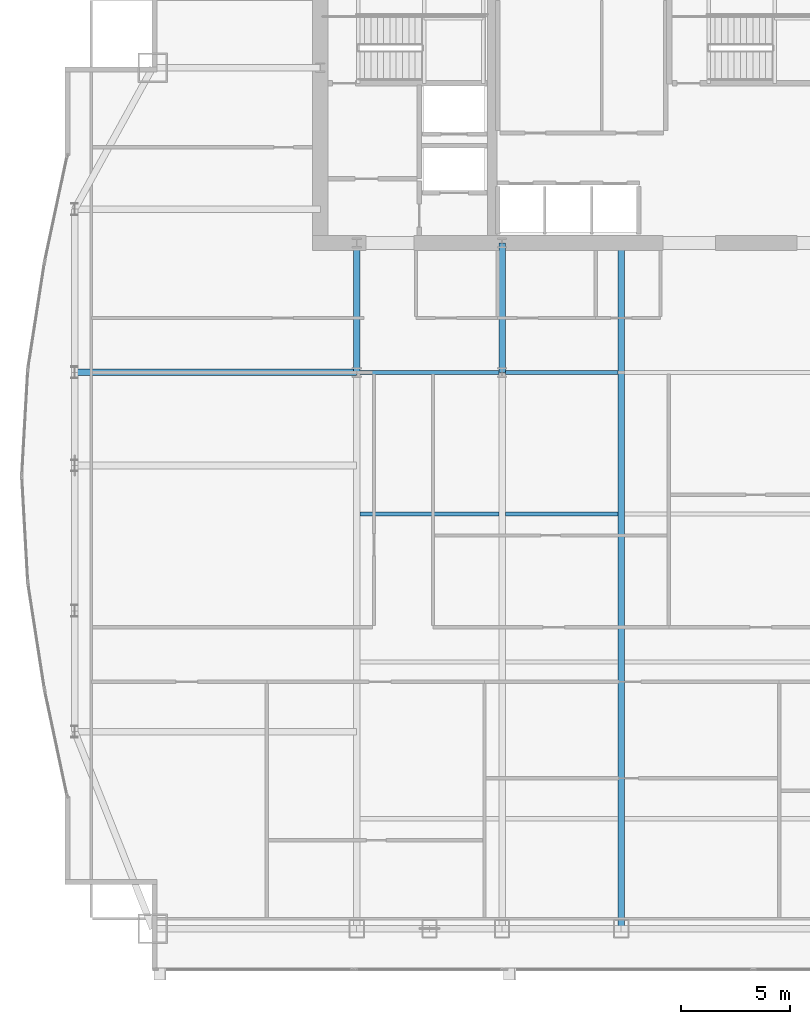
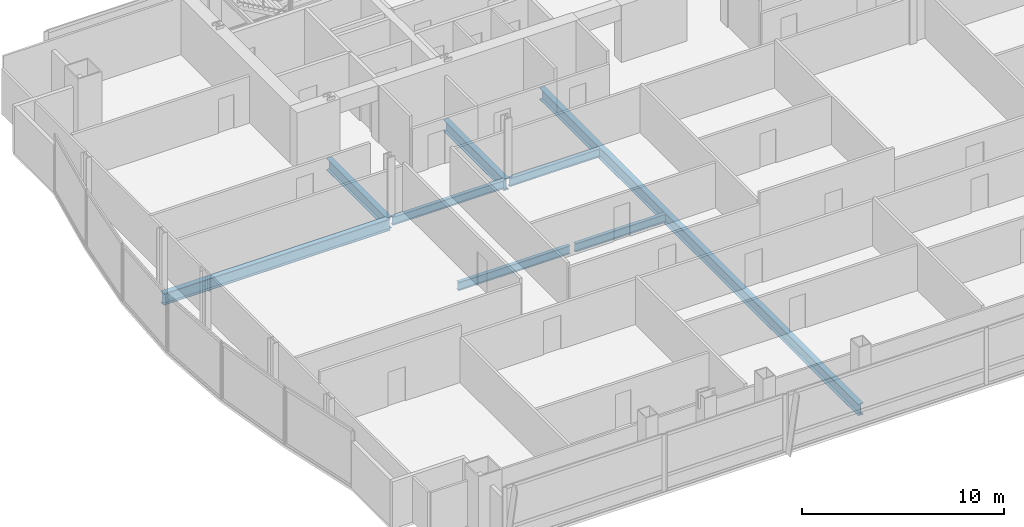
# One storey, part 12 of 29: 8 beams.
"""IFC4 building model written with IfcOpenShell, lengths in metres."""

import ifcopenshell
import ifcopenshell.guid

model = None  # the IFC model being written
_history = None  # IfcOwnerHistory: only IFC2X3 demands one
_inside = {}  # id of a spatial element -> (the spatial element, [elements in it])
_under = {}  # id of a project, library or spatial element -> (it, [spatial elements below it])
_declared = {}  # id of a project -> (the project, [libraries it declares])
_typed = {}  # id of a type object -> (the type object, [elements of that type])
_made_of = {}  # id of a material, layer set ... -> (it, [elements and type objects made of it])


def new_model(schema):
    """Start an empty IFC model of exactly this schema.

    Asked for "IFC4X3", IfcOpenShell would pick the latest addendum, in which some entities
    have other attributes; the version numbers below select the first issue.
    IFC2X3 requires an IfcOwnerHistory on every rooted entity: one is made here for all.
    """
    global model, _history
    if schema == "IFC4X3":
        model = ifcopenshell.file(schema_version=(4, 3, 0, 0))
    else:
        model = ifcopenshell.file(schema=schema)
    _inside.clear()
    _under.clear()
    _declared.clear()
    _typed.clear()
    _made_of.clear()
    _history = None
    if model.schema == "IFC2X3":
        org = make("IfcOrganization", Name="unknown")
        user = make(
            "IfcPersonAndOrganization",
            ThePerson=make("IfcPerson", FamilyName="unknown"),
            TheOrganization=org,
        )
        app = make(
            "IfcApplication",
            ApplicationDeveloper=org,
            Version="unknown",
            ApplicationFullName="unknown",
            ApplicationIdentifier="unknown",
        )
        _history = make(
            "IfcOwnerHistory",
            OwningUser=user,
            OwningApplication=app,
            ChangeAction="ADDED",
            CreationDate=0,
        )
    return model


def make(cls, **values):
    """One entity of the class cls with the attributes given. An attribute that is None is left unset."""
    return model.create_entity(
        cls, **{name: value for name, value in values.items() if value is not None}
    )


def rooted(cls, **values):
    """An entity with a GlobalId (a new one), such as an element, a storey or a relation."""
    return make(cls, GlobalId=ifcopenshell.guid.new(), OwnerHistory=_history, **values)


def si_unit(unit_type, name, prefix=None):
    """IfcSIUnit, for example si_unit("LENGTHUNIT", "METRE", prefix="MILLI")."""
    return make("IfcSIUnit", UnitType=unit_type, Prefix=prefix, Name=name)


def assignment(units):
    """IfcUnitAssignment: the units of a project."""
    return None if units is None else make("IfcUnitAssignment", Units=units)


def point(xyz):
    """IfcCartesianPoint."""
    return None if xyz is None else make("IfcCartesianPoint", Coordinates=xyz)


def direction(xyz):
    """IfcDirection."""
    return None if xyz is None else make("IfcDirection", DirectionRatios=xyz)


def frame(location, z_axis=None, x_axis=None):
    """IfcAxis2Placement3D, a coordinate frame: its origin and axes. An axis left out is left unset."""
    return make(
        "IfcAxis2Placement3D",
        Location=point(location),
        Axis=direction(z_axis),
        RefDirection=direction(x_axis),
    )


def frame_2d(location, x_axis=None):
    """IfcAxis2Placement2D, a coordinate frame in the plane: its origin and x axis."""
    return make(
        "IfcAxis2Placement2D", Location=point(location), RefDirection=direction(x_axis)
    )


def origin():
    """The frame at (0, 0, 0) with its axes left unset."""
    return frame((0.0, 0.0, 0.0))


def origin_2d():
    """The frame at (0, 0) in the plane with its x axis left unset."""
    return frame_2d((0.0, 0.0))


def place(relative_to, where):
    """IfcLocalPlacement: puts the frame where relative to a parent placement (None: the world)."""
    return make(
        "IfcLocalPlacement", PlacementRelTo=relative_to, RelativePlacement=where
    )


def context(
    kind, dimensions, precision=None, world=None, true_north=None, identifier=None
):
    """IfcGeometricRepresentationContext, for example the 3D "Model" context."""
    return make(
        "IfcGeometricRepresentationContext",
        ContextIdentifier=identifier,
        ContextType=kind,
        CoordinateSpaceDimension=dimensions,
        Precision=precision,
        WorldCoordinateSystem=world,
        TrueNorth=true_north,
    )


def subcontext(parent, identifier, kind, view, scale=None):
    """IfcGeometricRepresentationSubContext, for example "Body" below "Model"."""
    return make(
        "IfcGeometricRepresentationSubContext",
        ContextIdentifier=identifier,
        ContextType=kind,
        ParentContext=parent,
        TargetScale=scale,
        TargetView=view,
    )


def project(units=None, contexts=None):
    """IfcProject with its units and contexts."""
    return rooted(
        "IfcProject",
        Name="project",
        RepresentationContexts=contexts,
        UnitsInContext=assignment(units),
    )


def spatial(cls, under=None, at=None, **own):
    """A site, building, storey or space (cls), placed at a placement, below another one or the project."""
    s = rooted(cls, ObjectPlacement=at, **own)
    if under is not None:
        _under.setdefault(under.id(), (under, []))[1].append(s)
    return s


def profile(cls, at=None, kind="AREA", **sizes):
    """A parametric profile (cls). Its sizes go by their IFC names, for example OverallWidth=200.0."""
    return make(cls, ProfileType=kind, Position=at, **sizes)


def i_section(**sizes):
    """IfcIShapeProfileDef."""
    return profile("IfcIShapeProfileDef", **sizes)


def extrude(swept, where, along, depth):
    """IfcExtrudedAreaSolid: the profile swept, set in the frame where, extruded along a direction by depth."""
    return make(
        "IfcExtrudedAreaSolid",
        SweptArea=swept,
        Position=where,
        ExtrudedDirection=direction(along),
        Depth=depth,
    )


def shape(context_of_items, identifier, shape_type, items):
    """IfcShapeRepresentation: the items that make up one representation, for example the "Body"."""
    return make(
        "IfcShapeRepresentation",
        ContextOfItems=context_of_items,
        RepresentationIdentifier=identifier,
        RepresentationType=shape_type,
        Items=items,
    )


def material(Name=None, Category=None):
    """IfcMaterial."""
    return make("IfcMaterial", Name=Name, Category=Category)


def material_profile(
    of_material, cross_section, Name=None, Category=None, Priority=None
):
    """IfcMaterialProfile: a cross section and its material."""
    return make(
        "IfcMaterialProfile",
        Name=Name,
        Material=of_material,
        Profile=cross_section,
        Priority=Priority,
        Category=Category,
    )


def profile_set(profiles, Name=None, composite=None):
    """IfcMaterialProfileSet."""
    return make(
        "IfcMaterialProfileSet",
        Name=Name,
        MaterialProfiles=profiles,
        CompositeProfile=composite,
    )


def made_of(thing, what):
    """Note that an element or type object is made of a material, layer set ...; save() writes the relation."""
    if what is not None:
        _made_of.setdefault(what.id(), (what, []))[1].append(thing)
    return thing


def type_object(cls, material=None, **own):
    """A type object (cls), such as IfcWallType, which elements share."""
    return made_of(rooted(cls, **own), material)


def element(
    cls,
    number,
    at=None,
    inside=None,
    cuts=None,
    type_object=None,
    material=None,
    context=None,
    identifier="Body",
    shape_type=None,
    held_by="IfcProductDefinitionShape",
    body=None,
    shapes=None,
    **own,
):
    """One element of the class cls, such as IfcWall. Its Tag is "e" and its number.

    at: its placement. inside: the storey or other place that contains it. cuts: it is an
    opening in that element (IfcRelVoidsElement). A single representation is given by context,
    identifier, shape_type and body (its items); several are given by shapes. held_by: the class
    of the entity that holds the representations. save() writes the other relations.
    """
    e = rooted(cls, Tag="e%d" % number, ObjectPlacement=at, **own)
    if body is not None:
        shapes = [shape(context, identifier, shape_type, body)]
    if shapes is not None:
        e.Representation = make(held_by, Representations=shapes)
    if inside is not None:
        _inside.setdefault(inside.id(), (inside, []))[1].append(e)
    if cuts is not None:
        rooted(
            "IfcRelVoidsElement", RelatingBuildingElement=cuts, RelatedOpeningElement=e
        )
    if type_object is not None:
        _typed.setdefault(type_object.id(), (type_object, []))[1].append(e)
    return made_of(e, material)


def aggregate(whole, parts):
    """IfcRelAggregates: a whole, such as a stair, and the parts it consists of."""
    return rooted("IfcRelAggregates", RelatingObject=whole, RelatedObjects=parts)


def save(model, path):
    """Write the relations noted so far, then the file.

    IfcRelAggregates (storeys below a building ...), IfcRelContainedInSpatialStructure (elements
    in a storey), IfcRelDefinesByType, IfcRelAssociatesMaterial and IfcRelDeclares: one each for
    every whole, place, type object, material and project.
    """
    for whole, parts in _under.values():
        aggregate(whole, parts)
    for where, things in _inside.values():
        rooted(
            "IfcRelContainedInSpatialStructure",
            RelatedElements=things,
            RelatingStructure=where,
        )
    for kind, things in _typed.values():
        rooted("IfcRelDefinesByType", RelatedObjects=things, RelatingType=kind)
    for what, things in _made_of.values():
        rooted("IfcRelAssociatesMaterial", RelatedObjects=things, RelatingMaterial=what)
    for by, libraries in _declared.values():
        rooted("IfcRelDeclares", RelatingContext=by, RelatedDefinitions=libraries)
    model.write(path)


model = new_model("IFC4")

# Units and contexts
model_context = context("Model", 3, precision=1e-05, world=origin(), true_north=direction((0.0, 1.0)))
body_context = subcontext(model_context, "Body", "Model", "MODEL_VIEW")
ifc_project = project(units=[si_unit("LENGTHUNIT", "METRE"), si_unit("AREAUNIT", "SQUARE_METRE"), si_unit("VOLUMEUNIT", "CUBIC_METRE"), si_unit("PLANEANGLEUNIT", "RADIAN"), si_unit("MASSUNIT", "GRAM", prefix="KILO")], contexts=[model_context])

# Site, building, storey
site_placement = place(None, origin())
site = spatial("IfcSite", under=ifc_project, at=site_placement, CompositionType="ELEMENT")
building_placement = place(site_placement, origin())
building = spatial("IfcBuilding", under=site, at=building_placement, Name="Khoronbel Lancet Exchange", CompositionType="ELEMENT")
storey_placement = place(building_placement, frame((0.0, 0.0, 165.0)))
storey = spatial("IfcBuildingStorey", under=building, at=storey_placement, Name="L41", CompositionType="ELEMENT", Elevation=165.0)

# Beams
ifc_material = material(Name="Steel S355", Category="steel")
ifc_material_profile_1 = material_profile(ifc_material, i_section(OverallWidth=0.300048828125, OverallDepth=0.699951171875, WebThickness=0.01708984375, FlangeThickness=0.031982421875, at=origin_2d()), Name="HEB 700")
ifc_profile_set_1 = profile_set([ifc_material_profile_1], Name="Steel S355")
beam_type_1 = type_object("IfcBeamType", Name="BM-BG3", PredefinedType="BEAM", material=ifc_profile_set_1)
for number, where, z_axis, x_axis, name in (
    (1, (18.22509765625, 35.699951171875, -0.510009765625), (0.0, 1.0, 0.0), (-1.0, 0.0, 0.0), "Level L41 spine tie girder GN1"),
    (2, (24.89990234375, 35.699951171875, -0.510009765625), (0.0, 1.0, 0.0), (-1.0, 0.0, 0.0), "Level L41 spine tie girder GN2"),
):
    element("IfcBeam", number, at=place(storey_placement, frame(where, z_axis=z_axis, x_axis=x_axis)), inside=storey, type_object=beam_type_1, Name=name, PredefinedType="BEAM", context=body_context, shape_type="SweptSolid", body=[
        extrude(i_section(OverallWidth=0.300048828125, OverallDepth=0.699951171875, WebThickness=0.01708984375, FlangeThickness=0.031982421875, at=origin_2d()), origin(), (0.0, 0.0, 1.0), 5.949951171875),
    ])
beam_1_placement = place(storey_placement, frame((30.375, 10.14990234375, -0.510009765625), z_axis=(0.0, 1.0, 0.0), x_axis=(-1.0, 0.0, 0.0)))
element("IfcBeam", 3, at=beam_1_placement, inside=storey, type_object=beam_type_1, Name="Level L41 primary floor girder G3", PredefinedType="BEAM", context=body_context, shape_type="SweptSolid", body=[
    extrude(i_section(OverallWidth=0.300048828125, OverallDepth=0.699951171875, WebThickness=0.01708984375, FlangeThickness=0.031982421875, at=origin_2d()), origin(), (0.0, 0.0, 1.0), 31.5),
])
beam_2_placement = place(storey_placement, frame((5.27001953125, 35.699951171875, -0.510009765625), z_axis=(1.0, 0.0, 0.0), x_axis=(0.0, 1.0, 0.0)))
element("IfcBeam", 4, at=beam_2_placement, inside=storey, type_object=beam_type_1, Name="Level L41 west lens tie girder LG4W", PredefinedType="BEAM", context=body_context, shape_type="SweptSolid", body=[
    extrude(i_section(OverallWidth=0.300048828125, OverallDepth=0.699951171875, WebThickness=0.01708984375, FlangeThickness=0.031982421875, at=origin_2d()), origin(), (0.0, 0.0, 1.0), 12.955078125),
])
ifc_material_profile_2 = material_profile(ifc_material, i_section(OverallWidth=0.199951171875, OverallDepth=0.5, WebThickness=0.01025390625, FlangeThickness=0.01611328125, at=origin_2d()), Name="IPE 500")
ifc_profile_set_2 = profile_set([ifc_material_profile_2], Name="Steel S355")
beam_type_2 = type_object("IfcBeamType", Name="BM-BJ3", PredefinedType="JOIST", material=ifc_profile_set_2)
beam_3_placement = place(storey_placement, frame((18.375, 29.199951171875, -0.409912109375), z_axis=(1.0, 0.0, 0.0), x_axis=(0.0, 1.0, 0.0)))
element("IfcBeam", 5, at=beam_3_placement, inside=storey, type_object=beam_type_2, Name="Level L41 secondary composite joist J11", PredefinedType="JOIST", context=body_context, shape_type="SweptSolid", body=[
    extrude(i_section(OverallWidth=0.199951171875, OverallDepth=0.5, WebThickness=0.01025390625, FlangeThickness=0.01611328125, at=origin_2d()), origin(), (0.0, 0.0, 1.0), 6.375),
])
beam_4_placement = place(storey_placement, frame((25.050048828125, 29.199951171875, -0.409912109375), z_axis=(1.0, 0.0, 0.0), x_axis=(0.0, 1.0, 0.0)))
element("IfcBeam", 6, at=beam_4_placement, inside=storey, type_object=beam_type_2, Name="Level L41 secondary composite joist J12", PredefinedType="JOIST", context=body_context, shape_type="SweptSolid", body=[
    extrude(i_section(OverallWidth=0.199951171875, OverallDepth=0.5, WebThickness=0.01025390625, FlangeThickness=0.01611328125, at=origin_2d()), origin(), (0.0, 0.0, 1.0), 5.175048828125),
])
beam_5_placement = place(storey_placement, frame((18.375, 35.699951171875, -0.409912109375), z_axis=(1.0, 0.0, 0.0), x_axis=(0.0, 1.0, 0.0)))
element("IfcBeam", 7, at=beam_5_placement, inside=storey, type_object=beam_type_2, Name="Level L41 secondary composite joist J16", PredefinedType="JOIST", context=body_context, shape_type="SweptSolid", body=[
    extrude(i_section(OverallWidth=0.199951171875, OverallDepth=0.5, WebThickness=0.01025390625, FlangeThickness=0.01611328125, at=origin_2d()), origin(), (0.0, 0.0, 1.0), 6.375),
])
beam_6_placement = place(storey_placement, frame((25.050048828125, 35.699951171875, -0.409912109375), z_axis=(1.0, 0.0, 0.0), x_axis=(0.0, 1.0, 0.0)))
element("IfcBeam", 8, at=beam_6_placement, inside=storey, type_object=beam_type_2, Name="Level L41 secondary composite joist J17", PredefinedType="JOIST", context=body_context, shape_type="SweptSolid", body=[
    extrude(i_section(OverallWidth=0.199951171875, OverallDepth=0.5, WebThickness=0.01025390625, FlangeThickness=0.01611328125, at=origin_2d()), origin(), (0.0, 0.0, 1.0), 5.175048828125),
])

save(model, "model.ifc")
